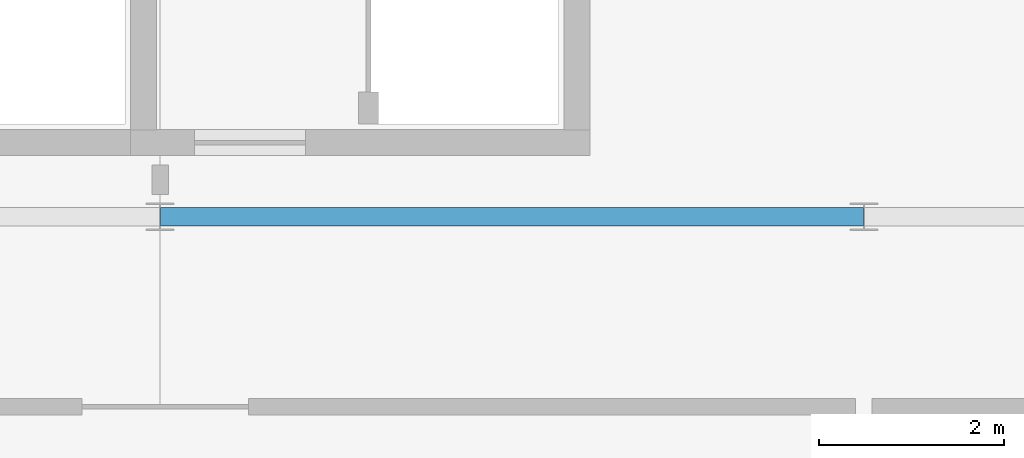
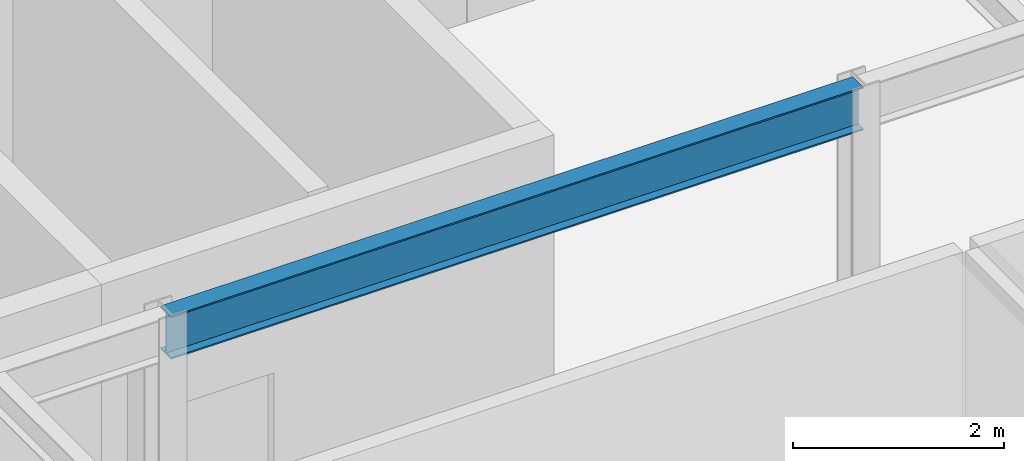
# One storey, part 38 of 114: 1 beam.
"""IFC4 building model written with IfcOpenShell, lengths in metres."""

from ifc_helpers import new_model, si_unit, direction, frame, origin, origin_2d, place, context, subcontext, project, spatial, i_section, extrude, material, material_profile, profile_set, type_object, element, save


model = new_model("IFC4")

# Units and contexts
model_context = context("Model", 3, precision=1e-05, world=origin(), true_north=direction((0.0, 1.0)))
body_context = subcontext(model_context, "Body", "Model", "MODEL_VIEW")
ifc_project = project(units=[si_unit("LENGTHUNIT", "METRE"), si_unit("AREAUNIT", "SQUARE_METRE"), si_unit("VOLUMEUNIT", "CUBIC_METRE"), si_unit("PLANEANGLEUNIT", "RADIAN"), si_unit("MASSUNIT", "GRAM", prefix="KILO")], contexts=[model_context])

# Site, building, storey
site_placement = place(None, origin())
site = spatial("IfcSite", under=ifc_project, at=site_placement, CompositionType="ELEMENT")
building_placement = place(site_placement, origin())
building = spatial("IfcBuilding", under=site, at=building_placement, Name="Montecoro Central Library", CompositionType="ELEMENT")
storey_placement = place(building_placement, frame((0.0, 0.0, 13.260009765625)))
storey = spatial("IfcBuildingStorey", under=building, at=storey_placement, Name="L03", CompositionType="ELEMENT", Elevation=13.260009765625)

# Beam
ifc_material = material(Name="Steel S355", Category="steel")
ifc_material_profile = material_profile(ifc_material, i_section(OverallWidth=0.199951171875, OverallDepth=0.5, WebThickness=0.01025390625, FlangeThickness=0.01611328125, at=origin_2d()), Name="IPE 500")
ifc_profile_set = profile_set([ifc_material_profile], Name="Steel S355")
beam_type = type_object("IfcBeamType", Name="BM-G-IPE500", PredefinedType="USERDEFINED", material=ifc_profile_set)
beam_placement = place(storey_placement, frame((12.60498046875, 103.800048828125, 3.574951171875), z_axis=(1.0, 0.0, 0.0), x_axis=(0.0, 1.0, 0.0)))
element("IfcBeam", 1, at=beam_placement, inside=storey, type_object=beam_type, Name="V4-L03-BX-23-P", ObjectType="GIRDER", PredefinedType="USERDEFINED", context=body_context, shape_type="SweptSolid", body=[
    extrude(i_section(OverallWidth=0.199951171875, OverallDepth=0.5, WebThickness=0.01025390625, FlangeThickness=0.01611328125, at=origin_2d()), origin(), (0.0, 0.0, 1.0), 7.590087890625),
])

save(model, "model.ifc")
